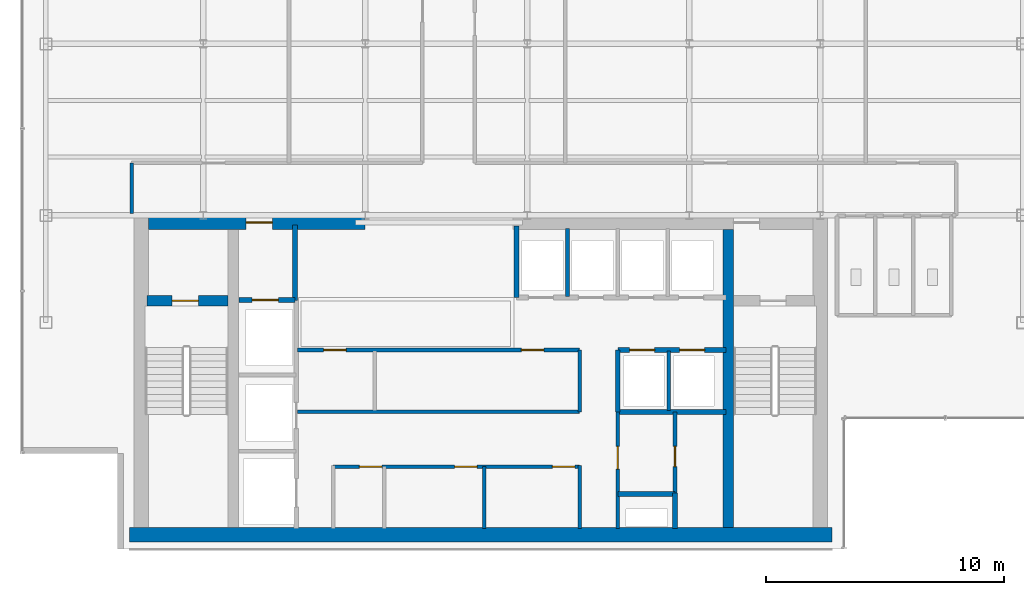
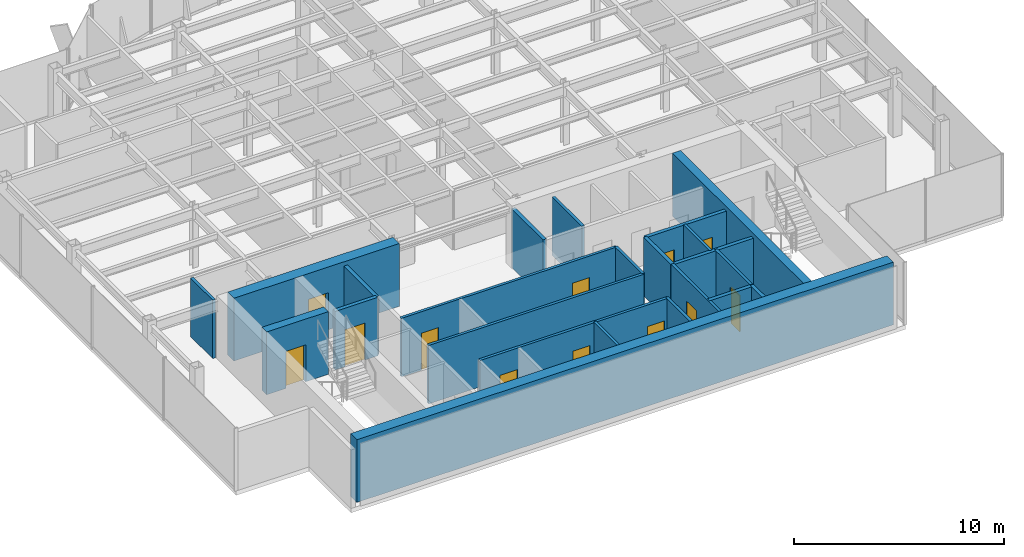
# One storey, part 17 of 22: 23 walls, 12 doors, 12 openings.
"""IFC4 building model written with IfcOpenShell, lengths in metres."""

from ifc_helpers import new_model, si_unit, derived_unit, direction, frame, frame_2d, origin, place, context, subcontext, project, spatial, rectangle, extrude, source, transform, mapped, material, layer, layer_set, type_object, element, fill, save


model = new_model("IFC4")

# Units and contexts
model_context = context("Model", 3, precision=1e-05, world=origin(), true_north=direction((0.0, 1.0)))
body_context = subcontext(model_context, "Body", "Model", "MODEL_VIEW")
ifc_project = project(units=[si_unit("LENGTHUNIT", "METRE"), si_unit("AREAUNIT", "SQUARE_METRE"), si_unit("VOLUMEUNIT", "CUBIC_METRE"), si_unit("PLANEANGLEUNIT", "RADIAN"), si_unit("MASSUNIT", "GRAM", prefix="KILO"), derived_unit("THERMALTRANSMITTANCEUNIT", [(si_unit("POWERUNIT", "WATT"), 1), (si_unit("LENGTHUNIT", "METRE"), -2), (si_unit("THERMODYNAMICTEMPERATUREUNIT", "KELVIN"), -1)])], contexts=[model_context])

# Site, building, storey
site_placement = place(None, origin())
site = spatial("IfcSite", under=ifc_project, at=site_placement, CompositionType="ELEMENT")
building_placement = place(site_placement, origin())
building = spatial("IfcBuilding", under=site, at=building_placement, Name="Skarnbrae Concourse Arena and Tower", CompositionType="ELEMENT")
storey_placement = place(building_placement, frame((0.0, 0.0, 192.25)))
storey = spatial("IfcBuildingStorey", under=building, at=storey_placement, Name="L49", CompositionType="ELEMENT", Elevation=192.25)

# Wall, opening, door
ifc_material_1 = material(Name="Concrete 50 MPa (C50/60)", Category="concrete")
ifc_layer_1 = layer(ifc_material_1, 0.449951171875)
ifc_layer_set_1 = layer_set([ifc_layer_1], Name="Concrete 50 MPa (C50/60)")
wall_type_1 = type_object("IfcWallType", Name="WALL-CORE-450-C50", PredefinedType="SHEAR", material=ifc_layer_set_1)
shared_shape_1 = source(origin(), body_context, "Body", "SweptSolid", [
    extrude(rectangle(XDim=3.389892578125, YDim=0.449951171875, at=frame_2d((1.69482421875, 0.0))), origin(), (0.0, 0.0, 1.0), 3.64990234375),
])
wall_1_placement = place(storey_placement, frame((5.25, 10.419921875, 0.0), z_axis=(0.0, 0.0, 1.0), x_axis=(1.0, 0.0, 0.0)))
wall_1 = element("IfcWall", 1, at=wall_1_placement, inside=storey, type_object=wall_type_1, Name="L49 Rear core shear wall CW-ST1-N", PredefinedType="SHEAR", context=body_context, shape_type="MappedRepresentation", body=[
    mapped(shared_shape_1, transform((0.0, 0.0, 0.0))),
])
opening_1_placement = place(wall_1_placement, frame((1.050048828125, 0.0, 0.0)))
opening_1 = element("IfcOpeningElement", 2, at=opening_1_placement, cuts=wall_1, Name="Opening DT-03", PredefinedType="OPENING", context=body_context, shape_type="SweptSolid", body=[
    extrude(rectangle(XDim=1.10009765625, YDim=2.14990234375, at=frame_2d((0.550048828125, 1.074951171875))), frame((0.0, 0.23486328125, 0.0), z_axis=(0.0, -1.0, 0.0), x_axis=(1.0, 0.0, 0.0)), (0.0, 0.0, 1.0), 0.469970703125),
])
ifc_material_2 = material(Name="Steel CSA G40.21 350W", Category="steel")
door_type_1 = type_object("IfcDoorType", Name="DOOR-FIRE-1100-90M", OperationType="NOTDEFINED", PredefinedType="DOOR", material=ifc_material_2)
shared_shape_2 = source(origin(), body_context, "Body", "SweptSolid", [
    extrude(rectangle(XDim=1.10009765625, YDim=2.14990234375, at=frame_2d((0.550048828125, 1.074951171875))), frame((0.0, 0.02490234375, 0.0), z_axis=(0.0, -1.0, 0.0), x_axis=(1.0, 0.0, 0.0)), (0.0, 0.0, 1.0), 0.050048828125),
])
door_1_placement = place(opening_1_placement, frame((1.10009765625, 0.0, 0.0), z_axis=(0.0, 0.0, 1.0), x_axis=(-1.0, 0.0, 0.0)))
door_1 = element("IfcDoor", 3, at=door_1_placement, inside=storey, type_object=door_type_1, Name="D-1495 Stair ST-1 Door", OperationType="SINGLE_SWING_LEFT", OverallHeight=2.14990234375, OverallWidth=1.10009765625, PredefinedType="DOOR", context=body_context, shape_type="MappedRepresentation", body=[
    mapped(shared_shape_2, transform((0.0, 0.0, 0.0))),
])
fill(opening_1, door_1)

# Wall
ifc_layer_2 = layer(ifc_material_1, 0.60009765625)
ifc_layer_set_2 = layer_set([ifc_layer_2], Name="Concrete 50 MPa (C50/60)")
wall_type_2 = type_object("IfcWallType", Name="WALL-CORE-600-C50", PredefinedType="SHEAR", material=ifc_layer_set_2)
shared_shape_3 = source(origin(), body_context, "Body", "SweptSolid", [
    extrude(rectangle(XDim=29.5, YDim=0.60009765625, at=frame_2d((14.75, 0.0))), origin(), (0.0, 0.0, 1.0), 3.64990234375),
])
wall_2_placement = place(storey_placement, frame((4.5, 0.60009765625, 0.0), z_axis=(0.0, 0.0, 1.0), x_axis=(1.0, 0.0, 0.0)))
element("IfcWall", 4, at=wall_2_placement, inside=storey, type_object=wall_type_2, Name="L49 Rear core shear wall CW-S", PredefinedType="SHEAR", context=body_context, shape_type="MappedRepresentation", body=[
    mapped(shared_shape_3, transform((0.0, 0.0, 0.0))),
])

# Wall, opening, door
shared_shape_4 = source(origin(), body_context, "Body", "SweptSolid", [
    extrude(rectangle(XDim=9.099853515625, YDim=0.60009765625, at=frame_2d((4.5498046875, 0.0))), origin(), (0.0, 0.0, 1.0), 3.64990234375),
])
wall_3_placement = place(storey_placement, frame((5.300048828125, 13.699951171875, 0.0), z_axis=(0.0, 0.0, 1.0), x_axis=(1.0, 0.0, 0.0)))
wall_3 = element("IfcWall", 5, at=wall_3_placement, inside=storey, type_object=wall_type_2, Name="L49 Rear core shear wall CW-NW", PredefinedType="SHEAR", context=body_context, shape_type="MappedRepresentation", body=[
    mapped(shared_shape_4, transform((0.0, 0.0, 0.0))),
])
opening_2_placement = place(wall_3_placement, frame((4.10009765625, 0.0, 0.0)))
opening_2 = element("IfcOpeningElement", 6, at=opening_2_placement, cuts=wall_3, Name="Opening DT-03", PredefinedType="OPENING", context=body_context, shape_type="SweptSolid", body=[
    extrude(rectangle(XDim=1.10009765625, YDim=2.14990234375, at=frame_2d((0.550048828125, 1.074951171875))), frame((0.0, 0.31005859375, 0.0), z_axis=(0.0, -1.0, 0.0), x_axis=(1.0, 0.0, 0.0)), (0.0, 0.0, 1.0), 0.6201171875),
])
door_2_placement = place(opening_2_placement, origin())
door_2 = element("IfcDoor", 7, at=door_2_placement, inside=storey, type_object=door_type_1, Name="D-1497 Firefighting Lobby Exit Door", OperationType="SINGLE_SWING_RIGHT", OverallHeight=2.14990234375, OverallWidth=1.10009765625, PredefinedType="DOOR", context=body_context, shape_type="MappedRepresentation", body=[
    mapped(shared_shape_2, transform((0.0, 0.0, 0.0))),
])
fill(opening_2, door_2)

# Walls
shared_shape_5 = source(origin(), body_context, "Body", "SweptSolid", [
    extrude(rectangle(XDim=12.5, YDim=0.449951171875, at=frame_2d((6.25, 0.0))), origin(), (0.0, 0.0, 1.0), 3.64990234375),
])
wall_4_placement = place(storey_placement, frame((29.635009765625, 0.89990234375, 0.0), z_axis=(0.0, 0.0, 1.0), x_axis=(0.0, 1.0, 0.0)))
element("IfcWall", 8, at=wall_4_placement, inside=storey, type_object=wall_type_1, Name="L49 Rear core shear wall CW-WEB-E", PredefinedType="SHEAR", context=body_context, shape_type="MappedRepresentation", body=[
    mapped(shared_shape_5, transform((0.0, 0.0, 0.0))),
])
ifc_material_3 = material(Name="Gypsum board on cold-formed steel studs", Category="steel")
ifc_layer_3 = layer(ifc_material_3, 0.199951171875)
ifc_layer_set_3 = layer_set([ifc_layer_3], Name="Gypsum board on cold-formed steel studs")
wall_type_3 = type_object("IfcWallType", Name="WALL-PART-200-2HR", PredefinedType="PARTITIONING", material=ifc_layer_set_3)
shared_shape_6 = source(origin(), body_context, "Body", "SweptSolid", [
    extrude(rectangle(XDim=3.18017578125, YDim=0.199951171875, at=frame_2d((1.590087890625, 0.0))), origin(), (0.0, 0.0, 1.0), 3.39990234375),
])
wall_5_placement = place(storey_placement, frame((11.449951171875, 10.419921875, 0.0), z_axis=(0.0, 0.0, 1.0), x_axis=(0.0, 1.0, 0.0)))
element("IfcWall", 9, at=wall_5_placement, inside=storey, type_object=wall_type_3, Name="L49 Interior partition wall W-L49-FFL-E", PredefinedType="PARTITIONING", context=body_context, shape_type="MappedRepresentation", body=[
    mapped(shared_shape_6, transform((0.0, 0.0, 0.0))),
])

# Wall, opening, door
shared_shape_7 = source(origin(), body_context, "Body", "SweptSolid", [
    extrude(rectangle(XDim=2.349853515625, YDim=0.199951171875, at=frame_2d((1.1748046875, 0.0))), origin(), (0.0, 0.0, 1.0), 3.39990234375),
])
wall_6_placement = place(storey_placement, frame((9.10009765625, 10.449951171875, 0.0), z_axis=(0.0, 0.0, 1.0), x_axis=(1.0, 0.0, 0.0)))
wall_6 = element("IfcWall", 10, at=wall_6_placement, inside=storey, type_object=wall_type_3, Name="L49 Interior partition wall W-L49-FL1-N", PredefinedType="PARTITIONING", context=body_context, shape_type="MappedRepresentation", body=[
    mapped(shared_shape_7, transform((0.0, 0.0, 0.0))),
])
opening_3_placement = place(wall_6_placement, frame((0.550048828125, 0.0, 0.0)))
opening_3 = element("IfcOpeningElement", 11, at=opening_3_placement, cuts=wall_6, Name="Opening LD-01", PredefinedType="OPENING", context=body_context, shape_type="SweptSolid", body=[
    extrude(rectangle(XDim=1.10009765625, YDim=2.14990234375, at=frame_2d((0.550048828125, 1.074951171875))), frame((0.0, 0.10986328125, 0.0), z_axis=(0.0, -1.0, 0.0), x_axis=(1.0, 0.0, 0.0)), (0.0, 0.0, 1.0), 0.219970703125),
])
door_type_2 = type_object("IfcDoorType", Name="DOOR-LIFT-SLIDE-1100", OperationType="SLIDING_TO_LEFT", PredefinedType="DOOR", material=ifc_material_2)
door_3_placement = place(opening_3_placement, origin())
door_3 = element("IfcDoor", 12, at=door_3_placement, inside=storey, type_object=door_type_2, Name="D-1499 Firefighting Lift Landing Door FL-01", OperationType="SLIDING_TO_LEFT", OverallHeight=2.14990234375, OverallWidth=1.10009765625, PredefinedType="DOOR", context=body_context, shape_type="MappedRepresentation", body=[
    mapped(shared_shape_2, transform((0.0, 0.0, 0.0))),
])
fill(opening_3, door_3)

# Walls
ifc_layer_4 = layer(ifc_material_3, 0.14990234375)
ifc_layer_set_4 = layer_set([ifc_layer_4], Name="Gypsum board on cold-formed steel studs")
wall_type_4 = type_object("IfcWallType", Name="WALL-PART-150", PredefinedType="PARTITIONING", material=ifc_layer_set_4)
shared_shape_8 = source(origin(), body_context, "Body", "SweptSolid", [
    extrude(rectangle(XDim=2.599853515625, YDim=0.14990234375, at=frame_2d((1.2998046875, 0.0))), origin(), (0.0, 0.0, 1.0), 3.39990234375),
])
wall_7_placement = place(storey_placement, frame((19.39990234375, 0.85009765625, 0.0), z_axis=(0.0, 0.0, 1.0), x_axis=(0.0, 1.0, 0.0)))
element("IfcWall", 13, at=wall_7_placement, inside=storey, type_object=wall_type_4, Name="L49 Interior partition wall W-L49-B1M-C2", PredefinedType="PARTITIONING", context=body_context, shape_type="MappedRepresentation", body=[
    mapped(shared_shape_8, transform((0.0, 0.0, 0.0))),
])
shared_shape_9 = source(origin(), body_context, "Body", "SweptSolid", [
    extrude(rectangle(XDim=2.60009765625, YDim=0.199951171875, at=frame_2d((1.300048828125, 0.0))), origin(), (0.0, 0.0, 1.0), 3.39990234375),
])
wall_8_placement = place(storey_placement, frame((25.0, 5.75, 0.0), z_axis=(0.0, 0.0, 1.0), x_axis=(0.0, 1.0, 0.0)))
element("IfcWall", 14, at=wall_8_placement, inside=storey, type_object=wall_type_3, Name="L49 Interior partition wall W-L49-B3S-W", PredefinedType="PARTITIONING", context=body_context, shape_type="MappedRepresentation", body=[
    mapped(shared_shape_9, transform((0.0, 0.0, 0.0))),
])
shared_shape_10 = source(origin(), body_context, "Body", "SweptSolid", [
    extrude(rectangle(XDim=2.5, YDim=0.14990234375, at=frame_2d((1.25, 0.0))), origin(), (0.0, 0.0, 1.0), 3.39990234375),
])
wall_9_placement = place(storey_placement, frame((27.139892578125, 5.800048828125, 0.0), z_axis=(0.0, 0.0, 1.0), x_axis=(0.0, 1.0, 0.0)))
element("IfcWall", 15, at=wall_9_placement, inside=storey, type_object=wall_type_4, Name="L49 Interior partition wall W-L49-B3S-P1", PredefinedType="PARTITIONING", context=body_context, shape_type="MappedRepresentation", body=[
    mapped(shared_shape_10, transform((0.0, 0.0, 0.0))),
])
shared_shape_11 = source(origin(), body_context, "Body", "SweptSolid", [
    extrude(rectangle(XDim=3.0, YDim=0.199951171875, at=frame_2d((1.5, 0.0))), origin(), (0.0, 0.0, 1.0), 3.39990234375),
])
wall_10_placement = place(storey_placement, frame((20.75, 10.550048828125, 0.0), z_axis=(0.0, 0.0, 1.0), x_axis=(0.0, 1.0, 0.0)))
element("IfcWall", 16, at=wall_10_placement, inside=storey, type_object=wall_type_3, Name="L49 Interior partition wall W-L49-B3N-W", PredefinedType="PARTITIONING", context=body_context, shape_type="MappedRepresentation", body=[
    mapped(shared_shape_11, transform((0.0, 0.0, 0.0))),
])
shared_shape_12 = source(origin(), body_context, "Body", "SweptSolid", [
    extrude(rectangle(XDim=2.849853515625, YDim=0.14990234375, at=frame_2d((1.4248046875, 0.0))), origin(), (0.0, 0.0, 1.0), 3.39990234375),
])
wall_11_placement = place(storey_placement, frame((22.889892578125, 10.60009765625, 0.0), z_axis=(0.0, 0.0, 1.0), x_axis=(0.0, 1.0, 0.0)))
element("IfcWall", 17, at=wall_11_placement, inside=storey, type_object=wall_type_4, Name="L49 Interior partition wall W-L49-B3N-P1", PredefinedType="PARTITIONING", context=body_context, shape_type="MappedRepresentation", body=[
    mapped(shared_shape_12, transform((0.0, 0.0, 0.0))),
])

# Wall, openings, doors
shared_shape_13 = source(origin(), body_context, "Body", "SweptSolid", [
    extrude(rectangle(XDim=4.550048828125, YDim=0.199951171875, at=frame_2d((2.27490234375, 0.0))), origin(), (0.0, 0.0, 1.0), 3.39990234375),
])
wall_12_placement = place(storey_placement, frame((25.0, 8.35009765625, 0.0), z_axis=(0.0, 0.0, 1.0), x_axis=(1.0, 0.0, 0.0)))
wall_12 = element("IfcWall", 18, at=wall_12_placement, inside=storey, type_object=wall_type_3, Name="L49 Interior partition wall W-L49-B3S-N", PredefinedType="PARTITIONING", context=body_context, shape_type="MappedRepresentation", body=[
    mapped(shared_shape_13, transform((0.0, 0.0, 0.0))),
])
opening_4_placement = place(wall_12_placement, frame((0.5, 0.0, 0.0)))
opening_4 = element("IfcOpeningElement", 19, at=opening_4_placement, cuts=wall_12, Name="Opening LD-04", PredefinedType="OPENING", context=body_context, shape_type="SweptSolid", body=[
    extrude(rectangle(XDim=1.050048828125, YDim=2.14990234375, at=frame_2d((0.52490234375, 1.074951171875))), frame((0.0, 0.10986328125, 0.0), z_axis=(0.0, -1.0, 0.0), x_axis=(1.0, 0.0, 0.0)), (0.0, 0.0, 1.0), 0.219970703125),
])
opening_5_placement = place(wall_12_placement, frame((2.60009765625, 0.0, 0.0)))
opening_5 = element("IfcOpeningElement", 20, at=opening_5_placement, cuts=wall_12, Name="Opening LD-04", PredefinedType="OPENING", context=body_context, shape_type="SweptSolid", body=[
    extrude(rectangle(XDim=1.050048828125, YDim=2.14990234375, at=frame_2d((0.52490234375, 1.074951171875))), frame((0.0, 0.10986328125, 0.0), z_axis=(0.0, -1.0, 0.0), x_axis=(1.0, 0.0, 0.0)), (0.0, 0.0, 1.0), 0.219970703125),
])
ifc_material_4 = material(Name="Bronze anodised aluminium 6063-T6", Category="aluminium")
door_type_3 = type_object("IfcDoorType", Name="DOOR-LIFT-SLIDE-1050H", OperationType="SLIDING_TO_LEFT", PredefinedType="DOOR", material=ifc_material_4)
shared_shape_14 = source(origin(), body_context, "Body", "SweptSolid", [
    extrude(rectangle(XDim=1.050048828125, YDim=2.14990234375, at=frame_2d((0.52490234375, 1.074951171875))), frame((0.0, 0.02490234375, 0.0), z_axis=(0.0, -1.0, 0.0), x_axis=(1.0, 0.0, 0.0)), (0.0, 0.0, 1.0), 0.050048828125),
])
door_4_placement = place(opening_4_placement, origin())
door_4 = element("IfcDoor", 21, at=door_4_placement, inside=storey, type_object=door_type_3, Name="D-1511 Passenger Lift Landing Door PL-3E", OperationType="SLIDING_TO_LEFT", OverallHeight=2.14990234375, OverallWidth=1.050048828125, PredefinedType="DOOR", context=body_context, shape_type="MappedRepresentation", body=[
    mapped(shared_shape_14, transform((0.0, 0.0, 0.0))),
])
fill(opening_4, door_4)
door_5_placement = place(opening_5_placement, origin())
door_5 = element("IfcDoor", 22, at=door_5_placement, inside=storey, type_object=door_type_3, Name="D-1512 Passenger Lift Landing Door PL-3F", OperationType="SLIDING_TO_LEFT", OverallHeight=2.14990234375, OverallWidth=1.050048828125, PredefinedType="DOOR", context=body_context, shape_type="MappedRepresentation", body=[
    mapped(shared_shape_14, transform((0.0, 0.0, 0.0))),
])
fill(opening_5, door_5)

# Wall
wall_13_placement = place(storey_placement, frame((25.0, 5.75, 0.0), z_axis=(0.0, 0.0, 1.0), x_axis=(1.0, 0.0, 0.0)))
element("IfcWall", 23, at=wall_13_placement, inside=storey, type_object=wall_type_3, Name="L49 Interior partition wall W-L49-B3S-S", PredefinedType="PARTITIONING", context=body_context, shape_type="MappedRepresentation", body=[
    mapped(shared_shape_13, transform((0.0, 0.0, 0.0))),
])

# Wall, opening, door
ifc_layer_5 = layer(ifc_material_3, 0.14990234375)
ifc_layer_set_5 = layer_set([ifc_layer_5], Name="Gypsum board on cold-formed steel studs")
wall_type_5 = type_object("IfcWallType", Name="WALL-PART-150-1HR", PredefinedType="PARTITIONING", material=ifc_layer_set_5)
shared_shape_15 = source(origin(), body_context, "Body", "SweptSolid", [
    extrude(rectangle(XDim=4.89990234375, YDim=0.14990234375, at=frame_2d((2.449951171875, 0.0))), origin(), (0.0, 0.0, 1.0), 3.39990234375),
])
wall_14_placement = place(storey_placement, frame((25.0, 0.85009765625, 0.0), z_axis=(0.0, 0.0, 1.0), x_axis=(0.0, 1.0, 0.0)))
wall_14 = element("IfcWall", 24, at=wall_14_placement, inside=storey, type_object=wall_type_5, Name="L49 Interior partition wall W-L49-CSV-W", PredefinedType="PARTITIONING", context=body_context, shape_type="MappedRepresentation", body=[
    mapped(shared_shape_15, transform((0.0, 0.0, 0.0))),
])
opening_6_placement = place(wall_14_placement, frame((2.5, 0.0, 0.0)))
opening_6 = element("IfcOpeningElement", 25, at=opening_6_placement, cuts=wall_14, Name="Opening DT-04", PredefinedType="OPENING", context=body_context, shape_type="SweptSolid", body=[
    extrude(rectangle(XDim=0.949951171875, YDim=2.14990234375, at=frame_2d((0.47509765625, 1.074951171875))), frame((0.0, 0.0849609375, 0.0), z_axis=(0.0, -1.0, 0.0), x_axis=(1.0, 0.0, 0.0)), (0.0, 0.0, 1.0), 0.169921875),
])
door_type_4 = type_object("IfcDoorType", Name="DOOR-INT-950-45M", OperationType="NOTDEFINED", PredefinedType="DOOR", material=ifc_material_2)
shared_shape_16 = source(origin(), body_context, "Body", "SweptSolid", [
    extrude(rectangle(XDim=0.949951171875, YDim=2.14990234375, at=frame_2d((0.47509765625, 1.074951171875))), frame((0.0, 0.02490234375, 0.0), z_axis=(0.0, -1.0, 0.0), x_axis=(1.0, 0.0, 0.0)), (0.0, 0.0, 1.0), 0.050048828125),
])
door_6_placement = place(opening_6_placement, origin())
door_6 = element("IfcDoor", 26, at=door_6_placement, inside=storey, type_object=door_type_4, Name="D-1513 Core Pantry Door", OperationType="SINGLE_SWING_RIGHT", OverallHeight=2.14990234375, OverallWidth=0.949951171875, PredefinedType="DOOR", context=body_context, shape_type="MappedRepresentation", body=[
    mapped(shared_shape_16, transform((0.0, 0.0, 0.0))),
])
fill(opening_6, door_6)

# Walls
shared_shape_17 = source(origin(), body_context, "Body", "SweptSolid", [
    extrude(rectangle(XDim=2.39990234375, YDim=0.199951171875, at=frame_2d((1.199951171875, 0.0))), origin(), (0.0, 0.0, 1.0), 3.39990234375),
])
wall_15_placement = place(storey_placement, frame((25.0, 2.300048828125, 0.0), z_axis=(0.0, 0.0, 1.0), x_axis=(1.0, 0.0, 0.0)))
element("IfcWall", 27, at=wall_15_placement, inside=storey, type_object=wall_type_3, Name="L49 Interior partition wall W-L49-MEP-N", PredefinedType="PARTITIONING", context=body_context, shape_type="MappedRepresentation", body=[
    mapped(shared_shape_17, transform((0.0, 0.0, 0.0))),
])
shared_shape_18 = source(origin(), body_context, "Body", "SweptSolid", [
    extrude(rectangle(XDim=1.5, YDim=0.199951171875, at=frame_2d((0.75, 0.0))), origin(), (0.0, 0.0, 1.0), 3.39990234375),
])
wall_16_placement = place(storey_placement, frame((27.39990234375, 0.85009765625, 0.0), z_axis=(0.0, 0.0, 1.0), x_axis=(0.0, 1.0, 0.0)))
element("IfcWall", 28, at=wall_16_placement, inside=storey, type_object=wall_type_3, Name="L49 Interior partition wall W-L49-MEP-E", PredefinedType="PARTITIONING", context=body_context, shape_type="MappedRepresentation", body=[
    mapped(shared_shape_18, transform((0.0, 0.0, 0.0))),
])

# Wall, opening, door
shared_shape_19 = source(origin(), body_context, "Body", "SweptSolid", [
    extrude(rectangle(XDim=3.39990234375, YDim=0.14990234375, at=frame_2d((1.699951171875, 0.0))), origin(), (0.0, 0.0, 1.0), 3.39990234375),
])
wall_17_placement = place(storey_placement, frame((27.39990234375, 2.35009765625, 0.0), z_axis=(0.0, 0.0, 1.0), x_axis=(0.0, 1.0, 0.0)))
wall_17 = element("IfcWall", 29, at=wall_17_placement, inside=storey, type_object=wall_type_4, Name="L49 Interior partition wall W-L49-CSV-V", PredefinedType="PARTITIONING", context=body_context, shape_type="MappedRepresentation", body=[
    mapped(shared_shape_19, transform((0.0, 0.0, 0.0))),
])
opening_7_placement = place(wall_17_placement, frame((1.10009765625, 0.0, 0.0)))
opening_7 = element("IfcOpeningElement", 30, at=opening_7_placement, cuts=wall_17, Name="Opening DT-06", PredefinedType="OPENING", context=body_context, shape_type="SweptSolid", body=[
    extrude(rectangle(XDim=0.85009765625, YDim=2.10009765625, at=frame_2d((0.425048828125, 1.050048828125))), frame((0.0, 0.0849609375, 0.0), z_axis=(0.0, -1.0, 0.0), x_axis=(1.0, 0.0, 0.0)), (0.0, 0.0, 1.0), 0.169921875),
])
ifc_material_5 = material(Name="Architectural oak veneer timber leaf", Category="wood")
door_type_5 = type_object("IfcDoorType", Name="DOOR-INT-850", OperationType="NOTDEFINED", PredefinedType="DOOR", material=ifc_material_5)
shared_shape_20 = source(origin(), body_context, "Body", "SweptSolid", [
    extrude(rectangle(XDim=0.85009765625, YDim=2.10009765625, at=frame_2d((0.425048828125, 1.050048828125))), frame((0.0, 0.02490234375, 0.0), z_axis=(0.0, -1.0, 0.0), x_axis=(1.0, 0.0, 0.0)), (0.0, 0.0, 1.0), 0.050048828125),
])
door_7_placement = place(opening_7_placement, frame((0.85009765625, 0.0, 0.0), z_axis=(0.0, 0.0, 1.0), x_axis=(-1.0, 0.0, 0.0)))
door_7 = element("IfcDoor", 31, at=door_7_placement, inside=storey, type_object=door_type_5, Name="D-1514 Supply Cupboard Door", OperationType="SINGLE_SWING_LEFT", OverallHeight=2.10009765625, OverallWidth=0.85009765625, PredefinedType="DOOR", context=body_context, shape_type="MappedRepresentation", body=[
    mapped(shared_shape_20, transform((0.0, 0.0, 0.0))),
])
fill(opening_7, door_7)

# Wall
shared_shape_21 = source(origin(), body_context, "Body", "SweptSolid", [
    extrude(rectangle(XDim=2.64990234375, YDim=0.14990234375, at=frame_2d((1.324951171875, 0.0))), origin(), (0.0, 0.0, 1.0), 3.39990234375),
])
wall_18_placement = place(storey_placement, frame((23.39990234375, 0.85009765625, 0.0), z_axis=(0.0, 0.0, 1.0), x_axis=(0.0, 1.0, 0.0)))
element("IfcWall", 32, at=wall_18_placement, inside=storey, type_object=wall_type_5, Name="L49 Interior partition wall W-L49-B1M-E", PredefinedType="PARTITIONING", context=body_context, shape_type="MappedRepresentation", body=[
    mapped(shared_shape_21, transform((0.0, 0.0, 0.0))),
])

# Wall, openings, doors
shared_shape_22 = source(origin(), body_context, "Body", "SweptSolid", [
    extrude(rectangle(XDim=10.349853515625, YDim=0.14990234375, at=frame_2d((5.1748046875, 0.0))), origin(), (0.0, 0.0, 1.0), 3.39990234375),
])
wall_19_placement = place(storey_placement, frame((13.050048828125, 3.449951171875, 0.0), z_axis=(0.0, 0.0, 1.0), x_axis=(1.0, 0.0, 0.0)))
wall_19 = element("IfcWall", 33, at=wall_19_placement, inside=storey, type_object=wall_type_5, Name="L49 Interior partition wall W-L49-B1M-N", PredefinedType="PARTITIONING", context=body_context, shape_type="MappedRepresentation", body=[
    mapped(shared_shape_22, transform((0.0, 0.0, 0.0))),
])
opening_8_placement = place(wall_19_placement, frame((1.10009765625, 0.0, 0.0)))
opening_8 = element("IfcOpeningElement", 34, at=opening_8_placement, cuts=wall_19, Name="Opening DT-04", PredefinedType="OPENING", context=body_context, shape_type="SweptSolid", body=[
    extrude(rectangle(XDim=0.949951171875, YDim=2.14990234375, at=frame_2d((0.47509765625, 1.074951171875))), frame((0.0, 0.0849609375, 0.0), z_axis=(0.0, -1.0, 0.0), x_axis=(1.0, 0.0, 0.0)), (0.0, 0.0, 1.0), 0.169921875),
])
opening_9_placement = place(wall_19_placement, frame((5.10009765625, 0.0, 0.0)))
opening_9 = element("IfcOpeningElement", 35, at=opening_9_placement, cuts=wall_19, Name="Opening DT-04", PredefinedType="OPENING", context=body_context, shape_type="SweptSolid", body=[
    extrude(rectangle(XDim=0.949951171875, YDim=2.14990234375, at=frame_2d((0.47509765625, 1.074951171875))), frame((0.0, 0.0849609375, 0.0), z_axis=(0.0, -1.0, 0.0), x_axis=(1.0, 0.0, 0.0)), (0.0, 0.0, 1.0), 0.169921875),
])
opening_10_placement = place(wall_19_placement, frame((9.199951171875, 0.0, 0.0)))
opening_10 = element("IfcOpeningElement", 36, at=opening_10_placement, cuts=wall_19, Name="Opening DT-04", PredefinedType="OPENING", context=body_context, shape_type="SweptSolid", body=[
    extrude(rectangle(XDim=0.949951171875, YDim=2.14990234375, at=frame_2d((0.47509765625, 1.074951171875))), frame((0.0, 0.0849609375, 0.0), z_axis=(0.0, -1.0, 0.0), x_axis=(1.0, 0.0, 0.0)), (0.0, 0.0, 1.0), 0.169921875),
])
door_8_placement = place(opening_8_placement, origin())
door_8 = element("IfcDoor", 37, at=door_8_placement, inside=storey, type_object=door_type_4, Name="D-1502 Core Service Door 1", OperationType="SINGLE_SWING_LEFT", OverallHeight=2.14990234375, OverallWidth=0.949951171875, PredefinedType="DOOR", context=body_context, shape_type="MappedRepresentation", body=[
    mapped(shared_shape_16, transform((0.0, 0.0, 0.0))),
])
fill(opening_8, door_8)
door_9_placement = place(opening_9_placement, origin())
door_9 = element("IfcDoor", 38, at=door_9_placement, inside=storey, type_object=door_type_4, Name="D-1503 Core Service Door 2", OperationType="SINGLE_SWING_RIGHT", OverallHeight=2.14990234375, OverallWidth=0.949951171875, PredefinedType="DOOR", context=body_context, shape_type="MappedRepresentation", body=[
    mapped(shared_shape_16, transform((0.0, 0.0, 0.0))),
])
fill(opening_9, door_9)
door_10_placement = place(opening_10_placement, origin())
door_10 = element("IfcDoor", 39, at=door_10_placement, inside=storey, type_object=door_type_4, Name="D-1504 Core Service Door 3", OperationType="SINGLE_SWING_LEFT", OverallHeight=2.14990234375, OverallWidth=0.949951171875, PredefinedType="DOOR", context=body_context, shape_type="MappedRepresentation", body=[
    mapped(shared_shape_16, transform((0.0, 0.0, 0.0))),
])
fill(opening_10, door_10)

# Walls
shared_shape_23 = source(origin(), body_context, "Body", "SweptSolid", [
    extrude(rectangle(XDim=2.119873046875, YDim=0.14990234375, at=frame_2d((1.06005859375, 0.0))), origin(), (0.0, 0.0, 1.0), 3.39990234375),
])
wall_20_placement = place(storey_placement, frame((4.60009765625, 14.080078125, 0.0), z_axis=(0.0, 0.0, 1.0), x_axis=(0.0, 1.0, 0.0)))
element("IfcWall", 40, at=wall_20_placement, inside=storey, type_object=wall_type_5, Name="L49 Interior partition wall W-L49-COR-01", PredefinedType="PARTITIONING", context=body_context, shape_type="MappedRepresentation", body=[
    mapped(shared_shape_23, transform((0.0, 0.0, 0.0))),
])
shared_shape_24 = source(origin(), body_context, "Body", "SweptSolid", [
    extrude(rectangle(XDim=11.849853515625, YDim=0.14990234375, at=frame_2d((5.9248046875, 0.0))), origin(), (0.0, 0.0, 1.0), 3.39990234375),
])
wall_21_placement = place(storey_placement, frame((11.550048828125, 5.75, 0.0), z_axis=(0.0, 0.0, 1.0), x_axis=(1.0, 0.0, 0.0)))
element("IfcWall", 41, at=wall_21_placement, inside=storey, type_object=wall_type_5, Name="L49 Interior partition wall W-L49-B2M-S", PredefinedType="PARTITIONING", context=body_context, shape_type="MappedRepresentation", body=[
    mapped(shared_shape_24, transform((0.0, 0.0, 0.0))),
])

# Wall, openings, doors
wall_22_placement = place(storey_placement, frame((11.550048828125, 8.35009765625, 0.0), z_axis=(0.0, 0.0, 1.0), x_axis=(1.0, 0.0, 0.0)))
wall_22 = element("IfcWall", 42, at=wall_22_placement, inside=storey, type_object=wall_type_5, Name="L49 Interior partition wall W-L49-B2M-N", PredefinedType="PARTITIONING", context=body_context, shape_type="MappedRepresentation", body=[
    mapped(shared_shape_24, transform((0.0, 0.0, 0.0))),
])
opening_11_placement = place(wall_22_placement, frame((1.10009765625, 0.0, 0.0)))
opening_11 = element("IfcOpeningElement", 43, at=opening_11_placement, cuts=wall_22, Name="Opening DT-04", PredefinedType="OPENING", context=body_context, shape_type="SweptSolid", body=[
    extrude(rectangle(XDim=0.949951171875, YDim=2.14990234375, at=frame_2d((0.47509765625, 1.074951171875))), frame((0.0, 0.0849609375, 0.0), z_axis=(0.0, -1.0, 0.0), x_axis=(1.0, 0.0, 0.0)), (0.0, 0.0, 1.0), 0.169921875),
])
opening_12_placement = place(wall_22_placement, frame((9.39990234375, 0.0, 0.0)))
opening_12 = element("IfcOpeningElement", 44, at=opening_12_placement, cuts=wall_22, Name="Opening DT-04", PredefinedType="OPENING", context=body_context, shape_type="SweptSolid", body=[
    extrude(rectangle(XDim=0.949951171875, YDim=2.14990234375, at=frame_2d((0.47509765625, 1.074951171875))), frame((0.0, 0.0849609375, 0.0), z_axis=(0.0, -1.0, 0.0), x_axis=(1.0, 0.0, 0.0)), (0.0, 0.0, 1.0), 0.169921875),
])
door_11_placement = place(opening_11_placement, origin())
door_11 = element("IfcDoor", 45, at=door_11_placement, inside=storey, type_object=door_type_4, Name="D-1505 High-Zone Data Door", OperationType="SINGLE_SWING_RIGHT", OverallHeight=2.14990234375, OverallWidth=0.949951171875, PredefinedType="DOOR", context=body_context, shape_type="MappedRepresentation", body=[
    mapped(shared_shape_16, transform((0.0, 0.0, 0.0))),
])
fill(opening_11, door_11)
door_12_placement = place(opening_12_placement, origin())
door_12 = element("IfcDoor", 46, at=door_12_placement, inside=storey, type_object=door_type_4, Name="D-1506 Reprographics Door", OperationType="SINGLE_SWING_LEFT", OverallHeight=2.14990234375, OverallWidth=0.949951171875, PredefinedType="DOOR", context=body_context, shape_type="MappedRepresentation", body=[
    mapped(shared_shape_16, transform((0.0, 0.0, 0.0))),
])
fill(opening_12, door_12)

# Wall
shared_shape_25 = source(origin(), body_context, "Body", "SweptSolid", [
    extrude(rectangle(XDim=2.60009765625, YDim=0.14990234375, at=frame_2d((1.300048828125, 0.0))), origin(), (0.0, 0.0, 1.0), 3.39990234375),
])
wall_23_placement = place(storey_placement, frame((23.39990234375, 5.75, 0.0), z_axis=(0.0, 0.0, 1.0), x_axis=(0.0, 1.0, 0.0)))
element("IfcWall", 47, at=wall_23_placement, inside=storey, type_object=wall_type_5, Name="L49 Interior partition wall W-L49-B2M-E", PredefinedType="PARTITIONING", context=body_context, shape_type="MappedRepresentation", body=[
    mapped(shared_shape_25, transform((0.0, 0.0, 0.0))),
])

save(model, "model.ifc")
